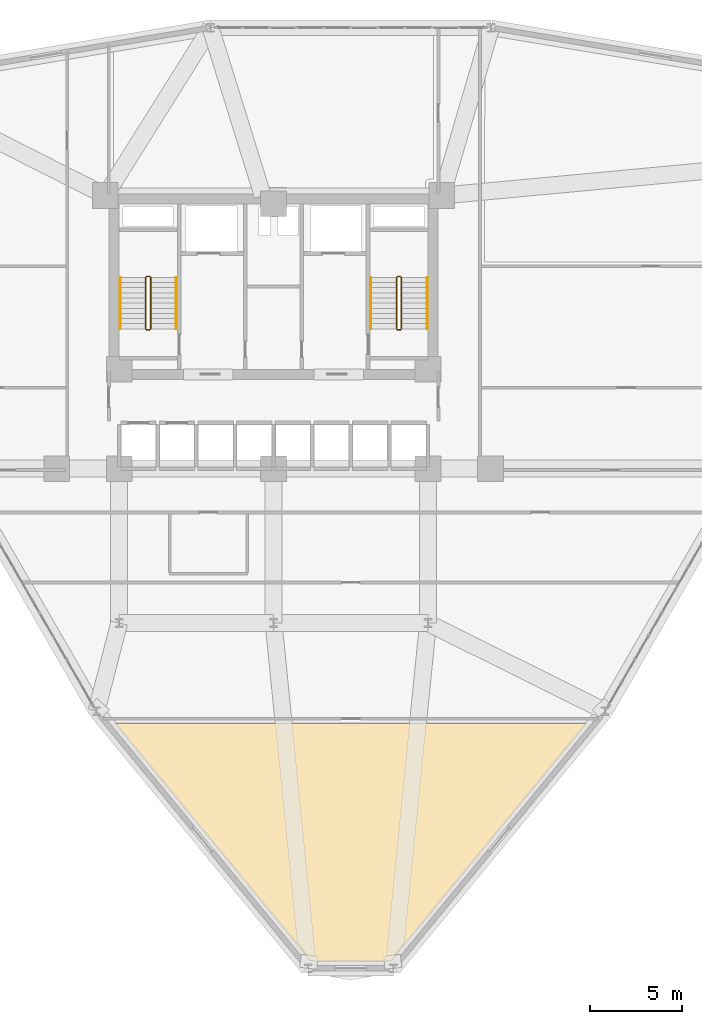
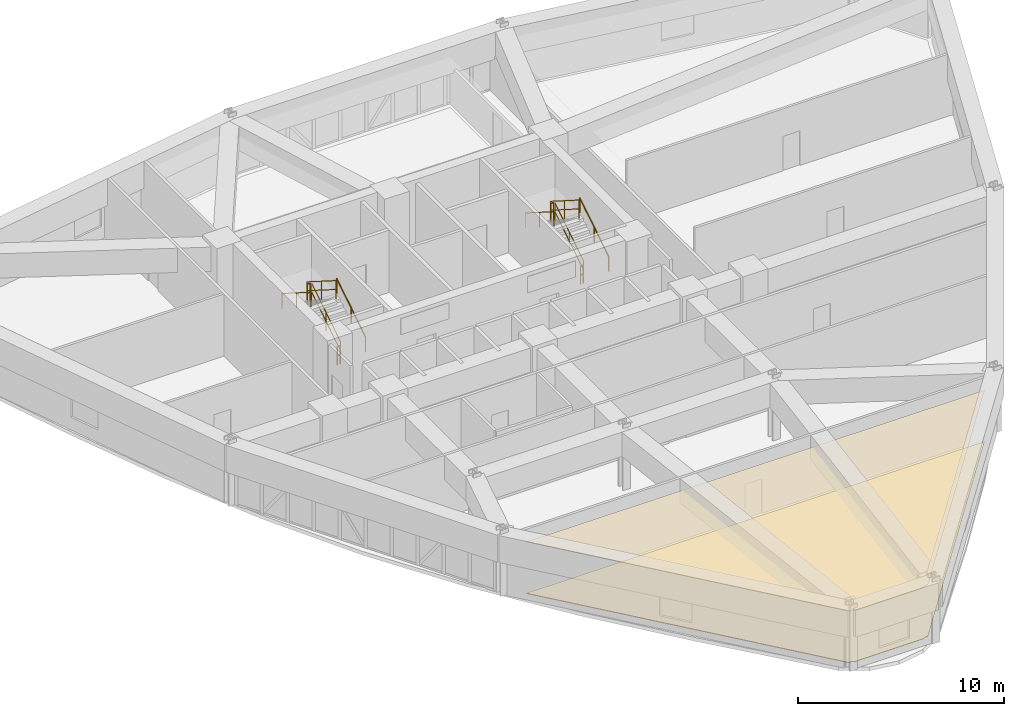
# One storey, part 17 of 18: 12 railings, 2 coverings.
"""IFC4 building model written with IfcOpenShell, lengths in metres."""

import ifcopenshell
import ifcopenshell.guid

model = None  # the IFC model being written
_history = None  # IfcOwnerHistory: only IFC2X3 demands one
_inside = {}  # id of a spatial element -> (the spatial element, [elements in it])
_under = {}  # id of a project, library or spatial element -> (it, [spatial elements below it])
_declared = {}  # id of a project -> (the project, [libraries it declares])
_typed = {}  # id of a type object -> (the type object, [elements of that type])
_made_of = {}  # id of a material, layer set ... -> (it, [elements and type objects made of it])


def new_model(schema):
    """Start an empty IFC model of exactly this schema.

    Asked for "IFC4X3", IfcOpenShell would pick the latest addendum, in which some entities
    have other attributes; the version numbers below select the first issue.
    IFC2X3 requires an IfcOwnerHistory on every rooted entity: one is made here for all.
    """
    global model, _history
    if schema == "IFC4X3":
        model = ifcopenshell.file(schema_version=(4, 3, 0, 0))
    else:
        model = ifcopenshell.file(schema=schema)
    _inside.clear()
    _under.clear()
    _declared.clear()
    _typed.clear()
    _made_of.clear()
    _history = None
    if model.schema == "IFC2X3":
        org = make("IfcOrganization", Name="unknown")
        user = make(
            "IfcPersonAndOrganization",
            ThePerson=make("IfcPerson", FamilyName="unknown"),
            TheOrganization=org,
        )
        app = make(
            "IfcApplication",
            ApplicationDeveloper=org,
            Version="unknown",
            ApplicationFullName="unknown",
            ApplicationIdentifier="unknown",
        )
        _history = make(
            "IfcOwnerHistory",
            OwningUser=user,
            OwningApplication=app,
            ChangeAction="ADDED",
            CreationDate=0,
        )
    return model


def make(cls, **values):
    """One entity of the class cls with the attributes given. An attribute that is None is left unset."""
    return model.create_entity(
        cls, **{name: value for name, value in values.items() if value is not None}
    )


def rooted(cls, **values):
    """An entity with a GlobalId (a new one), such as an element, a storey or a relation."""
    return make(cls, GlobalId=ifcopenshell.guid.new(), OwnerHistory=_history, **values)


def si_unit(unit_type, name, prefix=None):
    """IfcSIUnit, for example si_unit("LENGTHUNIT", "METRE", prefix="MILLI")."""
    return make("IfcSIUnit", UnitType=unit_type, Prefix=prefix, Name=name)


def derived_unit(unit_type, elements):
    """IfcDerivedUnit: a product of units, each with its exponent."""
    return make(
        "IfcDerivedUnit",
        Elements=[
            make("IfcDerivedUnitElement", Unit=unit, Exponent=power)
            for unit, power in elements
        ],
        UnitType=unit_type,
    )


def assignment(units):
    """IfcUnitAssignment: the units of a project."""
    return None if units is None else make("IfcUnitAssignment", Units=units)


def point(xyz):
    """IfcCartesianPoint."""
    return None if xyz is None else make("IfcCartesianPoint", Coordinates=xyz)


def direction(xyz):
    """IfcDirection."""
    return None if xyz is None else make("IfcDirection", DirectionRatios=xyz)


def frame(location, z_axis=None, x_axis=None):
    """IfcAxis2Placement3D, a coordinate frame: its origin and axes. An axis left out is left unset."""
    return make(
        "IfcAxis2Placement3D",
        Location=point(location),
        Axis=direction(z_axis),
        RefDirection=direction(x_axis),
    )


def frame_2d(location, x_axis=None):
    """IfcAxis2Placement2D, a coordinate frame in the plane: its origin and x axis."""
    return make(
        "IfcAxis2Placement2D", Location=point(location), RefDirection=direction(x_axis)
    )


def origin():
    """The frame at (0, 0, 0) with its axes left unset."""
    return frame((0.0, 0.0, 0.0))


def origin_2d():
    """The frame at (0, 0) in the plane with its x axis left unset."""
    return frame_2d((0.0, 0.0))


def place(relative_to, where):
    """IfcLocalPlacement: puts the frame where relative to a parent placement (None: the world)."""
    return make(
        "IfcLocalPlacement", PlacementRelTo=relative_to, RelativePlacement=where
    )


def context(
    kind, dimensions, precision=None, world=None, true_north=None, identifier=None
):
    """IfcGeometricRepresentationContext, for example the 3D "Model" context."""
    return make(
        "IfcGeometricRepresentationContext",
        ContextIdentifier=identifier,
        ContextType=kind,
        CoordinateSpaceDimension=dimensions,
        Precision=precision,
        WorldCoordinateSystem=world,
        TrueNorth=true_north,
    )


def subcontext(parent, identifier, kind, view, scale=None):
    """IfcGeometricRepresentationSubContext, for example "Body" below "Model"."""
    return make(
        "IfcGeometricRepresentationSubContext",
        ContextIdentifier=identifier,
        ContextType=kind,
        ParentContext=parent,
        TargetScale=scale,
        TargetView=view,
    )


def project(units=None, contexts=None):
    """IfcProject with its units and contexts."""
    return rooted(
        "IfcProject",
        Name="project",
        RepresentationContexts=contexts,
        UnitsInContext=assignment(units),
    )


def spatial(cls, under=None, at=None, **own):
    """A site, building, storey or space (cls), placed at a placement, below another one or the project."""
    s = rooted(cls, ObjectPlacement=at, **own)
    if under is not None:
        _under.setdefault(under.id(), (under, []))[1].append(s)
    return s


def polyline(points):
    """IfcPolyline through the points."""
    return make("IfcPolyline", Points=[point(p) for p in points])


def profile(cls, at=None, kind="AREA", **sizes):
    """A parametric profile (cls). Its sizes go by their IFC names, for example OverallWidth=200.0."""
    return make(cls, ProfileType=kind, Position=at, **sizes)


def circle(**sizes):
    """IfcCircleProfileDef."""
    return profile("IfcCircleProfileDef", **sizes)


def outline(outer, holes=None, kind="AREA"):
    """IfcArbitraryClosedProfileDef: a profile drawn as a closed curve; with holes, ...WithVoids."""
    if holes is None:
        return make("IfcArbitraryClosedProfileDef", ProfileType=kind, OuterCurve=outer)
    return make(
        "IfcArbitraryProfileDefWithVoids",
        ProfileType=kind,
        OuterCurve=outer,
        InnerCurves=holes,
    )


def extrude(swept, where, along, depth):
    """IfcExtrudedAreaSolid: the profile swept, set in the frame where, extruded along a direction by depth."""
    return make(
        "IfcExtrudedAreaSolid",
        SweptArea=swept,
        Position=where,
        ExtrudedDirection=direction(along),
        Depth=depth,
    )


def shape(context_of_items, identifier, shape_type, items):
    """IfcShapeRepresentation: the items that make up one representation, for example the "Body"."""
    return make(
        "IfcShapeRepresentation",
        ContextOfItems=context_of_items,
        RepresentationIdentifier=identifier,
        RepresentationType=shape_type,
        Items=items,
    )


def material(Name=None, Category=None):
    """IfcMaterial."""
    return make("IfcMaterial", Name=Name, Category=Category)


def layer(
    of_material, thickness, ventilated=None, Name=None, Category=None, Priority=None
):
    """IfcMaterialLayer: one layer of a wall or slab, of a material (None: an air gap)."""
    return make(
        "IfcMaterialLayer",
        Material=of_material,
        LayerThickness=thickness,
        IsVentilated=ventilated,
        Name=Name,
        Category=Category,
        Priority=Priority,
    )


def layer_set(layers, Name=None):
    """IfcMaterialLayerSet."""
    return make("IfcMaterialLayerSet", MaterialLayers=layers, LayerSetName=Name)


def made_of(thing, what):
    """Note that an element or type object is made of a material, layer set ...; save() writes the relation."""
    if what is not None:
        _made_of.setdefault(what.id(), (what, []))[1].append(thing)
    return thing


def type_object(cls, material=None, **own):
    """A type object (cls), such as IfcWallType, which elements share."""
    return made_of(rooted(cls, **own), material)


def element(
    cls,
    number,
    at=None,
    inside=None,
    cuts=None,
    type_object=None,
    material=None,
    context=None,
    identifier="Body",
    shape_type=None,
    held_by="IfcProductDefinitionShape",
    body=None,
    shapes=None,
    **own,
):
    """One element of the class cls, such as IfcWall. Its Tag is "e" and its number.

    at: its placement. inside: the storey or other place that contains it. cuts: it is an
    opening in that element (IfcRelVoidsElement). A single representation is given by context,
    identifier, shape_type and body (its items); several are given by shapes. held_by: the class
    of the entity that holds the representations. save() writes the other relations.
    """
    e = rooted(cls, Tag="e%d" % number, ObjectPlacement=at, **own)
    if body is not None:
        shapes = [shape(context, identifier, shape_type, body)]
    if shapes is not None:
        e.Representation = make(held_by, Representations=shapes)
    if inside is not None:
        _inside.setdefault(inside.id(), (inside, []))[1].append(e)
    if cuts is not None:
        rooted(
            "IfcRelVoidsElement", RelatingBuildingElement=cuts, RelatedOpeningElement=e
        )
    if type_object is not None:
        _typed.setdefault(type_object.id(), (type_object, []))[1].append(e)
    return made_of(e, material)


def aggregate(whole, parts):
    """IfcRelAggregates: a whole, such as a stair, and the parts it consists of."""
    return rooted("IfcRelAggregates", RelatingObject=whole, RelatedObjects=parts)


def save(model, path):
    """Write the relations noted so far, then the file.

    IfcRelAggregates (storeys below a building ...), IfcRelContainedInSpatialStructure (elements
    in a storey), IfcRelDefinesByType, IfcRelAssociatesMaterial and IfcRelDeclares: one each for
    every whole, place, type object, material and project.
    """
    for whole, parts in _under.values():
        aggregate(whole, parts)
    for where, things in _inside.values():
        rooted(
            "IfcRelContainedInSpatialStructure",
            RelatedElements=things,
            RelatingStructure=where,
        )
    for kind, things in _typed.values():
        rooted("IfcRelDefinesByType", RelatedObjects=things, RelatingType=kind)
    for what, things in _made_of.values():
        rooted("IfcRelAssociatesMaterial", RelatedObjects=things, RelatingMaterial=what)
    for by, libraries in _declared.values():
        rooted("IfcRelDeclares", RelatingContext=by, RelatedDefinitions=libraries)
    model.write(path)


model = new_model("IFC4")

# Units and contexts
model_context = context("Model", 3, precision=1e-05, world=origin(), true_north=direction((0.0, 1.0)))
body_context = subcontext(model_context, "Body", "Model", "MODEL_VIEW")
ifc_project = project(units=[si_unit("LENGTHUNIT", "METRE"), si_unit("AREAUNIT", "SQUARE_METRE"), si_unit("VOLUMEUNIT", "CUBIC_METRE"), si_unit("PLANEANGLEUNIT", "RADIAN"), si_unit("MASSUNIT", "GRAM", prefix="KILO"), derived_unit("THERMALTRANSMITTANCEUNIT", [(si_unit("POWERUNIT", "WATT"), 1), (si_unit("LENGTHUNIT", "METRE"), -2), (si_unit("THERMODYNAMICTEMPERATUREUNIT", "KELVIN"), -1)])], contexts=[model_context])

# Site, building, storey
site_placement = place(None, origin())
site = spatial("IfcSite", under=ifc_project, at=site_placement, CompositionType="ELEMENT")
building_placement = place(site_placement, origin())
building = spatial("IfcBuilding", under=site, at=building_placement, Name="Korsvarv Bourse and Concert Hall", CompositionType="ELEMENT")
storey_placement = place(building_placement, frame((0.0, 0.0, 71.699951171875)))
storey = spatial("IfcBuildingStorey", under=building, at=storey_placement, Name="L17", CompositionType="ELEMENT", Elevation=71.699951171875)

# Coverings
ifc_material_1 = material(Name="Perforated mineral-wool and birch acoustic baffle ceiling", Category="wood")
ifc_layer_1 = layer(ifc_material_1, 0.02490234375)
ifc_layer_set_1 = layer_set([ifc_layer_1], Name="Perforated mineral-wool and birch acoustic baffle ceiling")
covering_type_1 = type_object("IfcCoveringType", Name="COV-CEIL-1", PredefinedType="CEILING", material=ifc_layer_set_1)
covering_1_placement = place(storey_placement, frame((0.0, 0.0, 3.06005859375)))
element("IfcCovering", 1, at=covering_1_placement, inside=storey, type_object=covering_type_1, Name="L17 acoustic baffle ceiling 2", PredefinedType="CEILING", context=body_context, shape_type="SweptSolid", body=[
    extrude(outline(polyline([(53.052490234375, 18.550048828125), (42.43017578125, 5.64599609375), (42.306884765625, 5.64599609375), (42.272216796875, 5.642578125), (42.23876953125, 5.632568359375), (42.2080078125, 5.6162109375), (42.180908203125, 5.594482421875), (42.158447265625, 5.567626953125), (38.25048828125, 5.55908203125), (38.233154296875, 5.580322265625), (38.207275390625, 5.602783203125), (38.177490234375, 5.619873046875), (38.145263671875, 5.631103515625), (38.111083984375, 5.6357421875), (37.972900390625, 5.64208984375), (27.347412109375, 18.550048828125), (53.052490234375, 18.550048828125)])), origin(), (0.0, 0.0, 1.0), 0.02490234375),
])
ifc_material_2 = material(Name="Calcium-sulphate raised access trading floor with Nordic oak top", Category="wood")
ifc_layer_2 = layer(ifc_material_2, 0.0400390625)
ifc_layer_set_2 = layer_set([ifc_layer_2], Name="Calcium-sulphate raised access trading floor with Nordic oak top")
covering_type_2 = type_object("IfcCoveringType", Name="COV-FLOR-1", PredefinedType="FLOORING", material=ifc_layer_set_2)
covering_2_placement = place(storey_placement, origin())
element("IfcCovering", 2, at=covering_2_placement, inside=storey, type_object=covering_type_2, Name="L17 raised access oak floor finish 2", PredefinedType="FLOORING", context=body_context, shape_type="SweptSolid", body=[
    extrude(outline(polyline([(53.052490234375, 18.550048828125), (42.43017578125, 5.64599609375), (42.306884765625, 5.64599609375), (42.272216796875, 5.642578125), (42.23876953125, 5.632568359375), (42.2080078125, 5.6162109375), (42.180908203125, 5.594482421875), (42.158447265625, 5.567626953125), (38.25048828125, 5.55908203125), (38.233154296875, 5.580322265625), (38.207275390625, 5.602783203125), (38.177490234375, 5.619873046875), (38.145263671875, 5.631103515625), (38.111083984375, 5.6357421875), (37.972900390625, 5.64208984375), (27.347412109375, 18.550048828125), (53.052490234375, 18.550048828125)])), origin(), (0.0, 0.0, 1.0), 0.0400390625),
])

# Railings
ifc_material_3 = material(Name="Painted Steel S355 stair well guardrail", Category="steel")
railing_type_1 = type_object("IfcRailingType", Name="RL-ST-GRD", PredefinedType="GUARDRAIL", material=ifc_material_3)
railing_1_placement = place(storey_placement, frame((29.31005859375, 40.0, 0.17724609375)))
element("IfcRailing", 3, at=railing_1_placement, inside=storey, type_object=railing_type_1, Name="L17 ST-T1 stair guard 1", PredefinedType="GUARDRAIL", context=body_context, shape_type="SweptSolid", body=[
    extrude(circle(Radius=0.02392578125, at=origin_2d()), frame((0.0, 0.0, 1.076171875), z_axis=(0.0, 0.844908973607, 0.534910110503), x_axis=(-1.0, 0.0, 0.0)), (0.0, 0.0, 1.0), 3.31396484375),
    extrude(circle(Radius=0.02392578125, at=origin_2d()), frame((0.0, 0.0, 0.550048828125), z_axis=(0.0, 0.844908973607, 0.534910110503), x_axis=(-1.0, 0.0, 0.0)), (0.0, 0.0, 1.0), 3.31396484375),
    extrude(circle(Radius=0.02099609375, at=origin_2d()), origin(), (0.0, 0.0, 1.0), 1.052001953125),
    extrude(circle(Radius=0.02099609375, at=origin_2d()), frame((0.0, 1.39990234375, 0.88623046875)), (0.0, 0.0, 1.0), 1.052001953125),
    extrude(circle(Radius=0.02099609375, at=origin_2d()), frame((0.0, 2.800048828125, 1.772705078125)), (0.0, 0.0, 1.0), 1.052001953125),
])
railing_2_placement = place(storey_placement, frame((29.260009765625, 42.85009765625, 1.949951171875)))
element("IfcRailing", 4, at=railing_2_placement, inside=storey, type_object=railing_type_1, Name="L17 ST-T1 stair guard 2", PredefinedType="GUARDRAIL", context=body_context, shape_type="SweptSolid", body=[
    extrude(circle(Radius=0.02392578125, at=origin_2d()), frame((0.0, 0.0, 1.076171875), z_axis=(-1.0, 0.0, 0.0), x_axis=(0.0, -1.0, 0.0)), (0.0, 0.0, 1.0), 0.159912109375),
    extrude(circle(Radius=0.02392578125, at=origin_2d()), frame((0.0, 0.0, 0.550048828125), z_axis=(-1.0, 0.0, 0.0), x_axis=(0.0, -1.0, 0.0)), (0.0, 0.0, 1.0), 0.159912109375),
    extrude(circle(Radius=0.02099609375, at=origin_2d()), origin(), (0.0, 0.0, 1.0), 1.052001953125),
    extrude(circle(Radius=0.02099609375, at=origin_2d()), frame((-0.159912109375, 0.0, 0.0)), (0.0, 0.0, 1.0), 1.052001953125),
])
railing_3_placement = place(storey_placement, frame((29.050048828125, 42.800048828125, 2.12744140625)))
element("IfcRailing", 5, at=railing_3_placement, inside=storey, type_object=railing_type_1, Name="L17 ST-T1 stair guard 3", PredefinedType="GUARDRAIL", context=body_context, shape_type="SweptSolid", body=[
    extrude(circle(Radius=0.02392578125, at=origin_2d()), frame((0.0, 0.0, 1.076171875), z_axis=(0.0, -0.844908973607, 0.534910110503), x_axis=(1.0, 0.0, 0.0)), (0.0, 0.0, 1.0), 3.31396484375),
    extrude(circle(Radius=0.02392578125, at=origin_2d()), frame((0.0, 0.0, 0.550048828125), z_axis=(0.0, -0.844908973607, 0.534910110503), x_axis=(1.0, 0.0, 0.0)), (0.0, 0.0, 1.0), 3.31396484375),
    extrude(circle(Radius=0.02099609375, at=origin_2d()), origin(), (0.0, 0.0, 1.0), 1.052001953125),
    extrude(circle(Radius=0.02099609375, at=origin_2d()), frame((0.0, -1.39990234375, 0.88623046875)), (0.0, 0.0, 1.0), 1.052001953125),
    extrude(circle(Radius=0.02099609375, at=origin_2d()), frame((0.0, -2.800048828125, 1.772705078125)), (0.0, 0.0, 1.0), 1.052001953125),
])
railing_4_placement = place(storey_placement, frame((29.260009765625, 39.949951171875, 0.0)))
element("IfcRailing", 6, at=railing_4_placement, inside=storey, type_object=railing_type_1, Name="L17 ST-T1 stair guard 4", PredefinedType="GUARDRAIL", context=body_context, shape_type="SweptSolid", body=[
    extrude(circle(Radius=0.02392578125, at=origin_2d()), frame((0.0, 0.0, 1.076171875), z_axis=(-1.0, 0.0, 0.0), x_axis=(0.0, -1.0, 0.0)), (0.0, 0.0, 1.0), 0.159912109375),
    extrude(circle(Radius=0.02392578125, at=origin_2d()), frame((0.0, 0.0, 0.550048828125), z_axis=(-1.0, 0.0, 0.0), x_axis=(0.0, -1.0, 0.0)), (0.0, 0.0, 1.0), 0.159912109375),
    extrude(circle(Radius=0.02099609375, at=origin_2d()), origin(), (0.0, 0.0, 1.0), 1.052001953125),
    extrude(circle(Radius=0.02099609375, at=origin_2d()), frame((-0.159912109375, 0.0, 0.0)), (0.0, 0.0, 1.0), 1.052001953125),
])
railing_5_placement = place(storey_placement, frame((42.949951171875, 40.0, 0.17724609375)))
element("IfcRailing", 7, at=railing_5_placement, inside=storey, type_object=railing_type_1, Name="L17 ST-T2 stair guard 1", PredefinedType="GUARDRAIL", context=body_context, shape_type="SweptSolid", body=[
    extrude(circle(Radius=0.02392578125, at=origin_2d()), frame((0.0, 0.0, 1.076171875), z_axis=(0.0, 0.844908973607, 0.534910110503), x_axis=(-1.0, 0.0, 0.0)), (0.0, 0.0, 1.0), 3.31396484375),
    extrude(circle(Radius=0.02392578125, at=origin_2d()), frame((0.0, 0.0, 0.550048828125), z_axis=(0.0, 0.844908973607, 0.534910110503), x_axis=(-1.0, 0.0, 0.0)), (0.0, 0.0, 1.0), 3.31396484375),
    extrude(circle(Radius=0.02099609375, at=origin_2d()), origin(), (0.0, 0.0, 1.0), 1.052001953125),
    extrude(circle(Radius=0.02099609375, at=origin_2d()), frame((0.0, 1.39990234375, 0.88623046875)), (0.0, 0.0, 1.0), 1.052001953125),
    extrude(circle(Radius=0.02099609375, at=origin_2d()), frame((0.0, 2.800048828125, 1.772705078125)), (0.0, 0.0, 1.0), 1.052001953125),
])
railing_6_placement = place(storey_placement, frame((42.89990234375, 42.85009765625, 1.949951171875)))
element("IfcRailing", 8, at=railing_6_placement, inside=storey, type_object=railing_type_1, Name="L17 ST-T2 stair guard 2", PredefinedType="GUARDRAIL", context=body_context, shape_type="SweptSolid", body=[
    extrude(circle(Radius=0.02392578125, at=origin_2d()), frame((0.0, 0.0, 1.076171875), z_axis=(-1.0, 0.0, 0.0), x_axis=(0.0, -1.0, 0.0)), (0.0, 0.0, 1.0), 0.159912109375),
    extrude(circle(Radius=0.02392578125, at=origin_2d()), frame((0.0, 0.0, 0.550048828125), z_axis=(-1.0, 0.0, 0.0), x_axis=(0.0, -1.0, 0.0)), (0.0, 0.0, 1.0), 0.159912109375),
    extrude(circle(Radius=0.02099609375, at=origin_2d()), origin(), (0.0, 0.0, 1.0), 1.052001953125),
    extrude(circle(Radius=0.02099609375, at=origin_2d()), frame((-0.159912109375, 0.0, 0.0)), (0.0, 0.0, 1.0), 1.052001953125),
])
railing_7_placement = place(storey_placement, frame((42.68994140625, 42.800048828125, 2.12744140625)))
element("IfcRailing", 9, at=railing_7_placement, inside=storey, type_object=railing_type_1, Name="L17 ST-T2 stair guard 3", PredefinedType="GUARDRAIL", context=body_context, shape_type="SweptSolid", body=[
    extrude(circle(Radius=0.02392578125, at=origin_2d()), frame((0.0, 0.0, 1.076171875), z_axis=(0.0, -0.844908973607, 0.534910110503), x_axis=(1.0, 0.0, 0.0)), (0.0, 0.0, 1.0), 3.31396484375),
    extrude(circle(Radius=0.02392578125, at=origin_2d()), frame((0.0, 0.0, 0.550048828125), z_axis=(0.0, -0.844908973607, 0.534910110503), x_axis=(1.0, 0.0, 0.0)), (0.0, 0.0, 1.0), 3.31396484375),
    extrude(circle(Radius=0.02099609375, at=origin_2d()), origin(), (0.0, 0.0, 1.0), 1.052001953125),
    extrude(circle(Radius=0.02099609375, at=origin_2d()), frame((0.0, -1.39990234375, 0.88623046875)), (0.0, 0.0, 1.0), 1.052001953125),
    extrude(circle(Radius=0.02099609375, at=origin_2d()), frame((0.0, -2.800048828125, 1.772705078125)), (0.0, 0.0, 1.0), 1.052001953125),
])
railing_8_placement = place(storey_placement, frame((42.89990234375, 39.949951171875, 0.0)))
element("IfcRailing", 10, at=railing_8_placement, inside=storey, type_object=railing_type_1, Name="L17 ST-T2 stair guard 4", PredefinedType="GUARDRAIL", context=body_context, shape_type="SweptSolid", body=[
    extrude(circle(Radius=0.02392578125, at=origin_2d()), frame((0.0, 0.0, 1.076171875), z_axis=(-1.0, 0.0, 0.0), x_axis=(0.0, -1.0, 0.0)), (0.0, 0.0, 1.0), 0.159912109375),
    extrude(circle(Radius=0.02392578125, at=origin_2d()), frame((0.0, 0.0, 0.550048828125), z_axis=(-1.0, 0.0, 0.0), x_axis=(0.0, -1.0, 0.0)), (0.0, 0.0, 1.0), 0.159912109375),
    extrude(circle(Radius=0.02099609375, at=origin_2d()), origin(), (0.0, 0.0, 1.0), 1.052001953125),
    extrude(circle(Radius=0.02099609375, at=origin_2d()), frame((-0.159912109375, 0.0, 0.0)), (0.0, 0.0, 1.0), 1.052001953125),
])
ifc_material_4 = material(Name="Brushed stainless Steel S355 tubular handrail", Category="steel")
railing_type_2 = type_object("IfcRailingType", Name="RL-ST-HND", PredefinedType="HANDRAIL", material=ifc_material_4)
railing_9_placement = place(storey_placement, frame((30.7099609375, 40.0, 0.17724609375)))
element("IfcRailing", 11, at=railing_9_placement, inside=storey, type_object=railing_type_2, Name="L17 ST-T1 stair handrail 1", PredefinedType="HANDRAIL", context=body_context, shape_type="SweptSolid", body=[
    extrude(circle(Radius=0.02392578125, at=origin_2d()), frame((0.0, 0.0, 0.8759765625), z_axis=(0.0, 0.844908973607, 0.534910110503), x_axis=(-1.0, 0.0, 0.0)), (0.0, 0.0, 1.0), 3.31396484375),
    extrude(circle(Radius=0.02099609375, at=origin_2d()), origin(), (0.0, 0.0, 1.0), 0.851806640625),
    extrude(circle(Radius=0.02099609375, at=origin_2d()), frame((0.0, 1.39990234375, 0.88623046875)), (0.0, 0.0, 1.0), 0.851806640625),
    extrude(circle(Radius=0.02099609375, at=origin_2d()), frame((0.0, 2.800048828125, 1.772705078125)), (0.0, 0.0, 1.0), 0.851806640625),
])
railing_10_placement = place(storey_placement, frame((27.64990234375, 42.800048828125, 2.12744140625)))
element("IfcRailing", 12, at=railing_10_placement, inside=storey, type_object=railing_type_2, Name="L17 ST-T1 stair handrail 2", PredefinedType="HANDRAIL", context=body_context, shape_type="SweptSolid", body=[
    extrude(circle(Radius=0.02392578125, at=origin_2d()), frame((0.0, 0.0, 0.8759765625), z_axis=(0.0, -0.844908973607, 0.534910110503), x_axis=(1.0, 0.0, 0.0)), (0.0, 0.0, 1.0), 3.31396484375),
    extrude(circle(Radius=0.02099609375, at=origin_2d()), origin(), (0.0, 0.0, 1.0), 0.851806640625),
    extrude(circle(Radius=0.02099609375, at=origin_2d()), frame((0.0, -1.39990234375, 0.88623046875)), (0.0, 0.0, 1.0), 0.851806640625),
    extrude(circle(Radius=0.02099609375, at=origin_2d()), frame((0.0, -2.800048828125, 1.772705078125)), (0.0, 0.0, 1.0), 0.851806640625),
])
railing_11_placement = place(storey_placement, frame((44.35009765625, 40.0, 0.17724609375)))
element("IfcRailing", 13, at=railing_11_placement, inside=storey, type_object=railing_type_2, Name="L17 ST-T2 stair handrail 1", PredefinedType="HANDRAIL", context=body_context, shape_type="SweptSolid", body=[
    extrude(circle(Radius=0.02392578125, at=origin_2d()), frame((0.0, 0.0, 0.8759765625), z_axis=(0.0, 0.844908973607, 0.534910110503), x_axis=(-1.0, 0.0, 0.0)), (0.0, 0.0, 1.0), 3.31396484375),
    extrude(circle(Radius=0.02099609375, at=origin_2d()), origin(), (0.0, 0.0, 1.0), 0.851806640625),
    extrude(circle(Radius=0.02099609375, at=origin_2d()), frame((0.0, 1.39990234375, 0.88623046875)), (0.0, 0.0, 1.0), 0.851806640625),
    extrude(circle(Radius=0.02099609375, at=origin_2d()), frame((0.0, 2.800048828125, 1.772705078125)), (0.0, 0.0, 1.0), 0.851806640625),
])
railing_12_placement = place(storey_placement, frame((41.2900390625, 42.800048828125, 2.12744140625)))
element("IfcRailing", 14, at=railing_12_placement, inside=storey, type_object=railing_type_2, Name="L17 ST-T2 stair handrail 2", PredefinedType="HANDRAIL", context=body_context, shape_type="SweptSolid", body=[
    extrude(circle(Radius=0.02392578125, at=origin_2d()), frame((0.0, 0.0, 0.8759765625), z_axis=(0.0, -0.844908973607, 0.534910110503), x_axis=(1.0, 0.0, 0.0)), (0.0, 0.0, 1.0), 3.31396484375),
    extrude(circle(Radius=0.02099609375, at=origin_2d()), origin(), (0.0, 0.0, 1.0), 0.851806640625),
    extrude(circle(Radius=0.02099609375, at=origin_2d()), frame((0.0, -1.39990234375, 0.88623046875)), (0.0, 0.0, 1.0), 0.851806640625),
    extrude(circle(Radius=0.02099609375, at=origin_2d()), frame((0.0, -2.800048828125, 1.772705078125)), (0.0, 0.0, 1.0), 0.851806640625),
])

save(model, "model.ifc")
